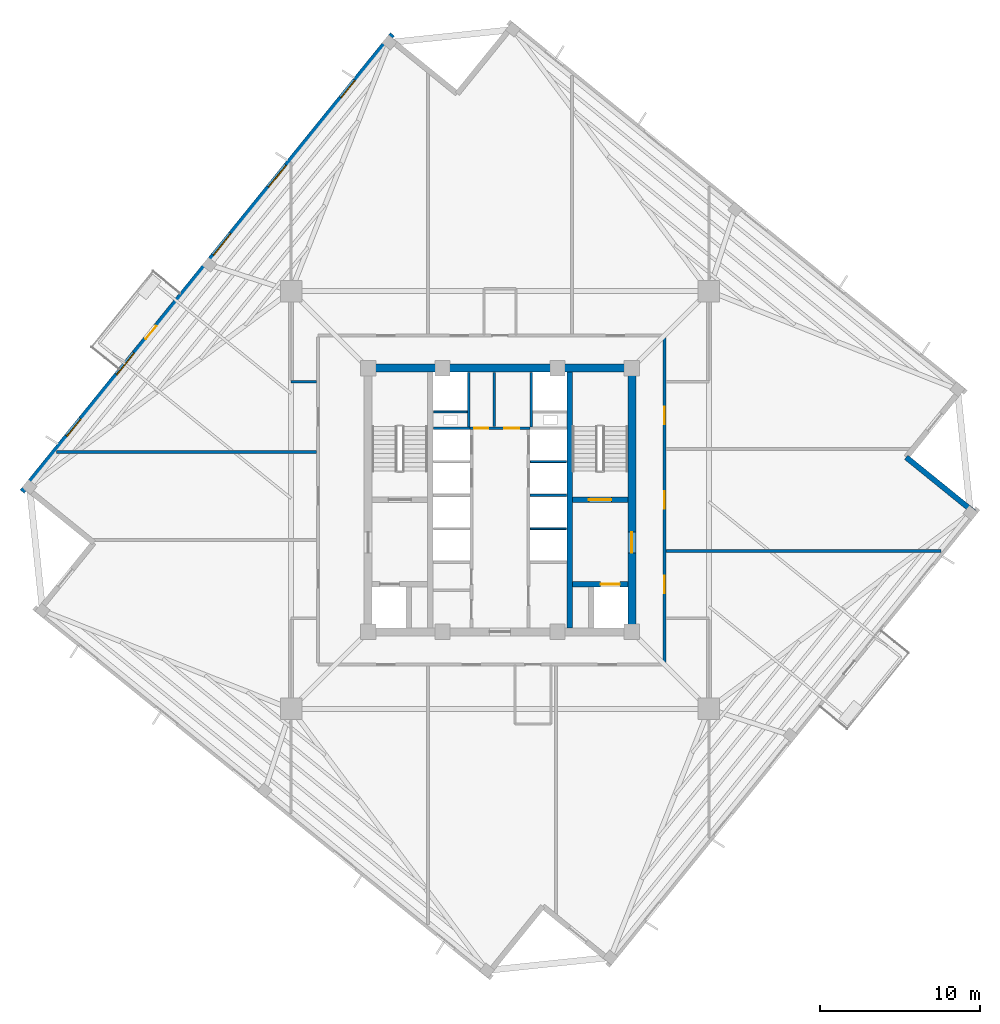
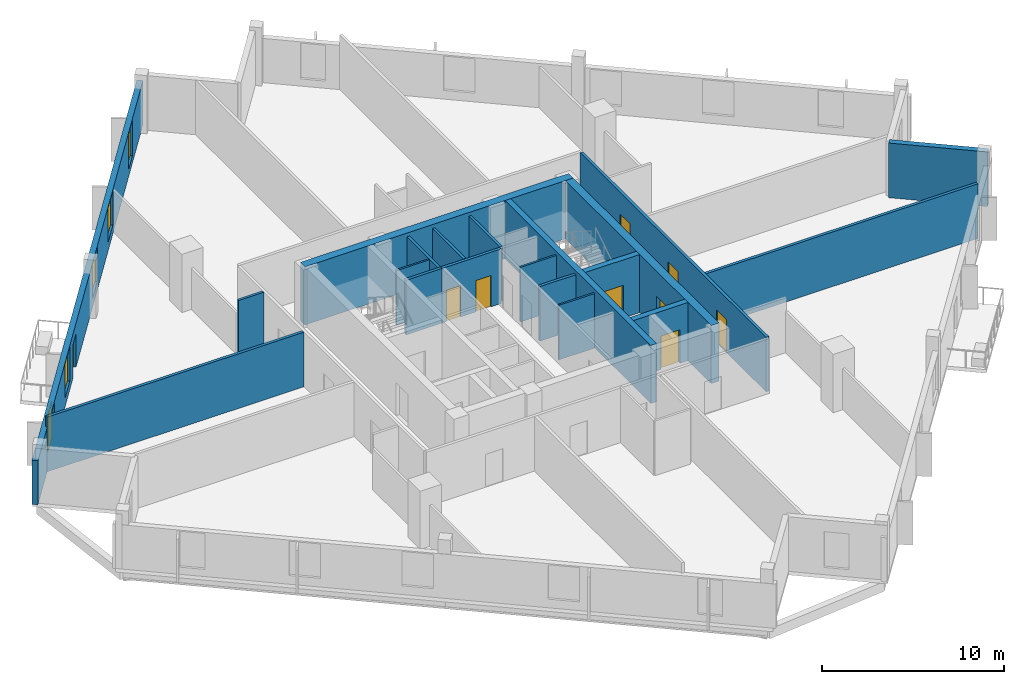
# One storey, part 4 of 9: 20 walls, 9 doors, 5 windows, 14 openings.
"""IFC4 building model written with IfcOpenShell, lengths in metres."""

from ifc_helpers import new_model, si_unit, direction, frame, frame_2d, origin, place, context, subcontext, project, spatial, rectangle, extrude, source, transform, mapped, material, layer, layer_set, type_object, element, fill, save


model = new_model("IFC4")

# Units and contexts
model_context = context("Model", 3, precision=1e-05, world=origin(), true_north=direction((0.0, 1.0)))
body_context = subcontext(model_context, "Body", "Model", "MODEL_VIEW")
ifc_project = project(units=[si_unit("LENGTHUNIT", "METRE"), si_unit("AREAUNIT", "SQUARE_METRE"), si_unit("VOLUMEUNIT", "CUBIC_METRE"), si_unit("PLANEANGLEUNIT", "RADIAN"), si_unit("MASSUNIT", "GRAM", prefix="KILO"), si_unit("THERMODYNAMICTEMPERATUREUNIT", "KELVIN")], contexts=[model_context])

# Site, building, storey
site_placement = place(None, origin())
site = spatial("IfcSite", under=ifc_project, at=site_placement, CompositionType="ELEMENT")
building_placement = place(site_placement, origin())
building = spatial("IfcBuilding", under=site, at=building_placement, Name="Kosmvard Interchange Tower", CompositionType="ELEMENT")
storey_placement = place(building_placement, frame((0.0, 0.0, 232.89990234375)))
storey = spatial("IfcBuildingStorey", under=building, at=storey_placement, Name="L56", CompositionType="ELEMENT", Elevation=232.89990234375)

# Walls
ifc_material_1 = material(Name="Acoustic gypsum partition system")
ifc_layer_1 = layer(ifc_material_1, 0.14990234375, Name="Acoustic gypsum partition system")
ifc_layer_set_1 = layer_set([ifc_layer_1], Name="Acoustic gypsum partition system")
wall_type_1 = type_object("IfcWallType", Name="Acoustic Suite & Meeting Partition 150", PredefinedType="PARTITIONING", material=ifc_layer_set_1)
wall_1_placement = place(storey_placement, frame((-11.4951171875, 7.39990234375, 0.0), z_axis=(0.0, 0.0, 1.0), x_axis=(-1.0, 0.0, 0.0)))
element("IfcWall", 1, at=wall_1_placement, inside=storey, type_object=wall_type_1, Name="L56 Room Partition 09.1", PredefinedType="PARTITIONING", context=body_context, shape_type="SweptSolid", body=[
    extrude(rectangle(XDim=1.5859375, YDim=0.14990234375, at=frame_2d((0.79296875, 0.0))), origin(), (0.0, 0.0, 1.0), 3.66015625),
])
ifc_material_2 = material(Name="Fire-rated gypsum partition system")
ifc_layer_2 = layer(ifc_material_2, 0.159912109375, Name="Fire-rated gypsum partition system")
ifc_layer_set_2 = layer_set([ifc_layer_2], Name="Fire-rated gypsum partition system")
wall_type_2 = type_object("IfcWallType", Name="Core Compartment & Shuttle Lobby Partition 160", PredefinedType="PARTITIONING", material=ifc_layer_set_2)
for number, where, z_axis, x_axis, name in (
    (2, (-1.9599609375, 4.580078125, 0.0), (0.0, 0.0, 1.0), (0.0, 1.0, 0.0), "L56 North Core West Wall"),
    (3, (1.9599609375, 4.580078125, 0.0), (0.0, 0.0, 1.0), (0.0, 1.0, 0.0), "L56 North Core East Wall"),
):
    element("IfcWall", number, at=place(storey_placement, frame(where, z_axis=z_axis, x_axis=x_axis)), inside=storey, type_object=wall_type_2, Name=name, PredefinedType="PARTITIONING", context=body_context, shape_type="SweptSolid", body=[
        extrude(rectangle(XDim=3.39990234375, YDim=0.159912109375, at=frame_2d((1.699951171875, 0.0))), origin(), (0.0, 0.0, 1.0), 3.66015625),
    ])
ifc_material_3 = material(Name="Concrete blockwork masonry", Category="masonry")
ifc_layer_3 = layer(ifc_material_3, 0.159912109375, Name="Concrete blockwork masonry")
ifc_layer_set_3 = layer_set([ifc_layer_3], Name="Concrete blockwork masonry")
wall_type_3 = type_object("IfcWallType", Name="Core Enclosure Split Wall 160", PredefinedType="PARTITIONING", material=ifc_layer_set_3)
wall_2_placement = place(storey_placement, frame((-0.35009765625, 4.60009765625, 0.0), z_axis=(0.0, 0.0, 1.0), x_axis=(0.0, 1.0, 0.0)))
element("IfcWall", 4, at=wall_2_placement, inside=storey, type_object=wall_type_3, Name="L56 Core K2 Split Wall", PredefinedType="PARTITIONING", context=body_context, shape_type="SweptSolid", body=[
    extrude(rectangle(XDim=3.3798828125, YDim=0.159912109375, at=frame_2d((1.68994140625, 0.0))), origin(), (0.0, 0.0, 1.0), 3.66015625),
])

# Wall, openings, doors
ifc_layer_4 = layer(ifc_material_2, 0.179931640625, Name="Fire-rated gypsum partition system")
ifc_layer_set_4 = layer_set([ifc_layer_4], Name="Fire-rated gypsum partition system")
wall_type_4 = type_object("IfcWallType", Name="Corridor & Hotel Compartment Partition 180", PredefinedType="PARTITIONING", material=ifc_layer_set_4)
wall_3_placement = place(storey_placement, frame((-1.8798828125, 4.489990234375, 0.0), z_axis=(0.0, 0.0, 1.0), x_axis=(1.0, 0.0, 0.0)))
wall_3 = element("IfcWall", 5, at=wall_3_placement, inside=storey, type_object=wall_type_4, Name="L56 Lift Lobby North Partition", PredefinedType="PARTITIONING", context=body_context, shape_type="SweptSolid", body=[
    extrude(rectangle(XDim=3.759765625, YDim=0.179931640625, at=frame_2d((1.8798828125, 0.0))), origin(), (0.0, 0.0, 1.0), 3.66015625),
])
opening_1_placement = place(wall_3_placement, frame((0.280029296875, 0.0, 0.0)))
opening_1 = element("IfcOpeningElement", 6, at=opening_1_placement, cuts=wall_3, Name="Opening L56-KD1", PredefinedType="OPENING", context=body_context, shape_type="SweptSolid", body=[
    extrude(rectangle(XDim=0.8798828125, YDim=2.10009765625, at=frame_2d((0.43994140625, 1.050048828125))), frame((0.0, 0.10009765625, 0.0), z_axis=(0.0, -1.0, 0.0), x_axis=(1.0, 0.0, 0.0)), (0.0, 0.0, 1.0), 0.199951171875),
])
opening_2_placement = place(wall_3_placement, frame((2.14990234375, 0.0, 0.0)))
opening_2 = element("IfcOpeningElement", 7, at=opening_2_placement, cuts=wall_3, Name="Opening L56-KD2", PredefinedType="OPENING", context=body_context, shape_type="SweptSolid", body=[
    extrude(rectangle(XDim=0.949951171875, YDim=2.10009765625, at=frame_2d((0.47509765625, 1.050048828125))), frame((0.0, 0.10009765625, 0.0), z_axis=(0.0, -1.0, 0.0), x_axis=(1.0, 0.0, 0.0)), (0.0, 0.0, 1.0), 0.199951171875),
])
ifc_material_4 = material(Name="Painted fire-rated timber leaf", Category="wood")
door_type_1 = type_object("IfcDoorType", Name="Core Service Fire Door 950x2100 EI30", OperationType="NOTDEFINED", PredefinedType="DOOR", material=ifc_material_4)
shared_shape_1 = source(origin(), body_context, "Body", "SweptSolid", [
    extrude(rectangle(XDim=0.949951171875, YDim=2.10009765625, at=frame_2d((0.47509765625, 1.050048828125))), frame((0.0, 0.02490234375, 0.0), z_axis=(0.0, -1.0, 0.0), x_axis=(1.0, 0.0, 0.0)), (0.0, 0.0, 1.0), 0.050048828125),
])
door_1_placement = place(opening_2_placement, origin())
door_1 = element("IfcDoor", 8, at=door_1_placement, inside=storey, type_object=door_type_1, Name="L56 Core Tea Pantry Door", OperationType="SINGLE_SWING_RIGHT", OverallHeight=2.10009765625, OverallWidth=0.949951171875, PredefinedType="DOOR", context=body_context, shape_type="MappedRepresentation", body=[
    mapped(shared_shape_1, transform((0.0, 0.0, 0.0), scale=1.0)),
])
fill(opening_2, door_1)
door_type_2 = type_object("IfcDoorType", Name="Core Cupboard Fire Door 880x2100 EI30", OperationType="NOTDEFINED", PredefinedType="DOOR", material=ifc_material_4)
shared_shape_2 = source(origin(), body_context, "Body", "SweptSolid", [
    extrude(rectangle(XDim=0.8798828125, YDim=2.10009765625, at=frame_2d((0.43994140625, 1.050048828125))), frame((0.0, 0.02490234375, 0.0), z_axis=(0.0, -1.0, 0.0), x_axis=(1.0, 0.0, 0.0)), (0.0, 0.0, 1.0), 0.050048828125),
])
door_2_placement = place(opening_1_placement, origin())
door_2 = element("IfcDoor", 9, at=door_2_placement, inside=storey, type_object=door_type_2, Name="L56 Core Cleaner Cupboard Door", OperationType="SINGLE_SWING_LEFT", OverallHeight=2.10009765625, OverallWidth=0.8798828125, PredefinedType="DOOR", context=body_context, shape_type="MappedRepresentation", body=[
    mapped(shared_shape_2, transform((0.0, 0.0, 0.0), scale=1.0)),
])
fill(opening_1, door_2)

wall_4_placement = place(storey_placement, frame((10.300048828125, -10.199951171875, 0.0), z_axis=(0.0, 0.0, 1.0), x_axis=(0.0, 1.0, 0.0)))
wall_4 = element("IfcWall", 10, at=wall_4_placement, inside=storey, type_object=wall_type_4, Name="L56 Corridor Wall CE", PredefinedType="PARTITIONING", context=body_context, shape_type="SweptSolid", body=[
    extrude(rectangle(XDim=20.39990234375, YDim=0.179931640625, at=frame_2d((10.199951171875, 0.0))), origin(), (0.0, 0.0, 1.0), 3.66015625),
])
opening_3_placement = place(wall_4_placement, frame((14.949951171875, 0.0, 0.0)))
opening_3 = element("IfcOpeningElement", 11, at=opening_3_placement, cuts=wall_4, Name="Opening L56-D07", PredefinedType="OPENING", context=body_context, shape_type="SweptSolid", body=[
    extrude(rectangle(XDim=1.10009765625, YDim=2.199951171875, at=frame_2d((0.550048828125, 1.10009765625))), frame((0.0, 0.10009765625, 0.0), z_axis=(0.0, -1.0, 0.0), x_axis=(1.0, 0.0, 0.0)), (0.0, 0.0, 1.0), 0.199951171875),
])
opening_4_placement = place(wall_4_placement, frame((9.64990234375, 0.0, 0.0)))
opening_4 = element("IfcOpeningElement", 12, at=opening_4_placement, cuts=wall_4, Name="Opening L56-D08", PredefinedType="OPENING", context=body_context, shape_type="SweptSolid", body=[
    extrude(rectangle(XDim=1.10009765625, YDim=2.199951171875, at=frame_2d((0.550048828125, 1.10009765625))), frame((0.0, 0.10009765625, 0.0), z_axis=(0.0, -1.0, 0.0), x_axis=(1.0, 0.0, 0.0)), (0.0, 0.0, 1.0), 0.199951171875),
])
opening_5_placement = place(wall_4_placement, frame((4.35009765625, 0.0, 0.0)))
opening_5 = element("IfcOpeningElement", 13, at=opening_5_placement, cuts=wall_4, Name="Opening L56-D09", PredefinedType="OPENING", context=body_context, shape_type="SweptSolid", body=[
    extrude(rectangle(XDim=1.10009765625, YDim=2.199951171875, at=frame_2d((0.550048828125, 1.10009765625))), frame((0.0, 0.10009765625, 0.0), z_axis=(0.0, -1.0, 0.0), x_axis=(1.0, 0.0, 0.0)), (0.0, 0.0, 1.0), 0.199951171875),
])
ifc_material_5 = material(Name="Engineered oak fire-rated timber", Category="wood")
door_type_3 = type_object("IfcDoorType", Name="Office Suite Entrance Door 1100x2200 FD30S", OperationType="NOTDEFINED", PredefinedType="DOOR", material=ifc_material_5)
shared_shape_3 = source(origin(), body_context, "Body", "SweptSolid", [
    extrude(rectangle(XDim=1.10009765625, YDim=2.199951171875, at=frame_2d((0.550048828125, 1.10009765625))), frame((0.0, 0.02490234375, 0.0), z_axis=(0.0, -1.0, 0.0), x_axis=(1.0, 0.0, 0.0)), (0.0, 0.0, 1.0), 0.050048828125),
])
door_3_placement = place(opening_3_placement, frame((1.10009765625, 0.0, 0.0), z_axis=(0.0, 0.0, 1.0), x_axis=(-1.0, 0.0, 0.0)))
door_3 = element("IfcDoor", 14, at=door_3_placement, inside=storey, type_object=door_type_3, Name="L56 East Executive Office 4 Door", OperationType="SINGLE_SWING_LEFT", OverallHeight=2.199951171875, OverallWidth=1.10009765625, PredefinedType="DOOR", context=body_context, shape_type="MappedRepresentation", body=[
    mapped(shared_shape_3, transform((0.0, 0.0, 0.0), scale=1.0)),
])
fill(opening_3, door_3)
door_4_placement = place(opening_4_placement, frame((1.10009765625, 0.0, 0.0), z_axis=(0.0, 0.0, 1.0), x_axis=(-1.0, 0.0, 0.0)))
door_4 = element("IfcDoor", 15, at=door_4_placement, inside=storey, type_object=door_type_3, Name="L56 South-East Corner Office Door", OperationType="SINGLE_SWING_RIGHT", OverallHeight=2.199951171875, OverallWidth=1.10009765625, PredefinedType="DOOR", context=body_context, shape_type="MappedRepresentation", body=[
    mapped(shared_shape_3, transform((0.0, 0.0, 0.0), scale=1.0)),
])
fill(opening_4, door_4)
door_5_placement = place(opening_5_placement, frame((1.10009765625, 0.0, 0.0), z_axis=(0.0, 0.0, 1.0), x_axis=(-1.0, 0.0, 0.0)))
door_5 = element("IfcDoor", 16, at=door_5_placement, inside=storey, type_object=door_type_3, Name="L56 South Conference Room 2 Door", OperationType="SINGLE_SWING_LEFT", OverallHeight=2.199951171875, OverallWidth=1.10009765625, PredefinedType="DOOR", context=body_context, shape_type="MappedRepresentation", body=[
    mapped(shared_shape_3, transform((0.0, 0.0, 0.0), scale=1.0)),
])
fill(opening_5, door_5)

# Walls
wall_5_placement = place(storey_placement, frame((10.39501953125, -3.199951171875, 0.0), z_axis=(0.0, 0.0, 1.0), x_axis=(1.0, 0.0, 0.0)))
element("IfcWall", 17, at=wall_5_placement, inside=storey, type_object=wall_type_4, Name="L56 Room Partition 04.1", PredefinedType="PARTITIONING", context=body_context, shape_type="SweptSolid", body=[
    extrude(rectangle(XDim=17.220458984375, YDim=0.179931640625, at=frame_2d((8.6103515625, 0.0))), origin(), (0.0, 0.0, 1.0), 3.66015625),
])
wall_6_placement = place(storey_placement, frame((-11.4951171875, 3.0, 0.0), z_axis=(0.0, 0.0, 1.0), x_axis=(-1.0, 0.0, 0.0)))
element("IfcWall", 18, at=wall_6_placement, inside=storey, type_object=wall_type_4, Name="L56 Room Partition 08.1", PredefinedType="PARTITIONING", context=body_context, shape_type="SweptSolid", body=[
    extrude(rectangle(XDim=16.2822265625, YDim=0.179931640625, at=frame_2d((8.14111328125, 0.0))), origin(), (0.0, 0.0, 1.0), 3.66015625),
])
ifc_material_6 = material(Name="Precast concrete C45/55", Category="concrete")
ifc_layer_5 = layer(ifc_material_6, 0.340087890625, Name="Precast concrete C45/55")
ifc_layer_set_5 = layer_set([ifc_layer_5], Name="Precast concrete C45/55")
wall_type_5 = type_object("IfcWallType", Name="Mid Tower Precast Pier Wall 340 C45/55", PredefinedType="STANDARD", material=ifc_layer_set_5)
wall_7_placement = place(storey_placement, frame((29.703125, -0.78857421875, 0.0), z_axis=(0.0, 0.0, 1.0), x_axis=(-0.77714355312, 0.629323365087, 0.0)))
element("IfcWall", 19, at=wall_7_placement, inside=storey, type_object=wall_type_5, Name="L56 Precast Facade Wall N-SE1", PredefinedType="STANDARD", context=body_context, shape_type="SweptSolid", body=[
    extrude(rectangle(XDim=5.499755859375, YDim=0.340087890625, at=frame_2d((2.75, 0.0))), origin(), (0.0, 0.0, 1.0), 3.66015625),
])

# Wall, openings, door, windows
wall_8_placement = place(storey_placement, frame((-6.73291015625, 29.154296875, 0.0), z_axis=(0.0, 0.0, 1.0), x_axis=(-0.629325378072, -0.77714192302, 0.0)))
wall_8 = element("IfcWall", 20, at=wall_8_placement, inside=storey, type_object=wall_type_5, Name="L56 Precast Facade Wall F-N", PredefinedType="STANDARD", context=body_context, shape_type="SweptSolid", body=[
    extrude(rectangle(XDim=36.840087890625, YDim=0.340087890625, at=frame_2d((18.419921875, 0.0))), origin(), (0.0, 0.0, 1.0), 2.960205078125),
])
opening_6_placement = place(wall_8_placement, frame((23.4951171875, 0.0, 0.0)))
opening_6 = element("IfcOpeningElement", 21, at=opening_6_placement, cuts=wall_8, Name="Opening L56-BDE", PredefinedType="OPENING", context=body_context, shape_type="SweptSolid", body=[
    extrude(rectangle(XDim=1.050048828125, YDim=2.25, at=frame_2d((0.52490234375, 1.125))), frame((0.0, 0.18017578125, 0.0), z_axis=(0.0, -1.0, 0.0), x_axis=(1.0, 0.0, 0.0)), (0.0, 0.0, 1.0), 0.360107421875),
])
opening_7_placement = place(wall_8_placement, frame((3.720703125, 0.0, 0.47998046875)))
opening_7 = element("IfcOpeningElement", 22, at=opening_7_placement, cuts=wall_8, Name="Opening L56-W11", PredefinedType="OPENING", context=body_context, shape_type="SweptSolid", body=[
    extrude(rectangle(XDim=1.39990234375, YDim=2.39990234375, at=frame_2d((0.699951171875, 1.199951171875))), frame((0.0, 0.18017578125, 0.0), z_axis=(0.0, -1.0, 0.0), x_axis=(1.0, 0.0, 0.0)), (0.0, 0.0, 1.0), 0.360107421875),
])
opening_8_placement = place(wall_8_placement, frame((10.55859375, 0.0, 0.580078125)))
opening_8 = element("IfcOpeningElement", 23, at=opening_8_placement, cuts=wall_8, Name="Opening L56-W12", PredefinedType="OPENING", context=body_context, shape_type="SweptSolid", body=[
    extrude(rectangle(XDim=1.75, YDim=2.300048828125, at=frame_2d((0.875, 1.14990234375))), frame((0.0, 0.18017578125, 0.0), z_axis=(0.0, -1.0, 0.0), x_axis=(1.0, 0.0, 0.0)), (0.0, 0.0, 1.0), 0.360107421875),
])
opening_9_placement = place(wall_8_placement, frame((16.05810546875, 0.0, 0.580078125)))
opening_9 = element("IfcOpeningElement", 24, at=opening_9_placement, cuts=wall_8, Name="Opening L56-W13", PredefinedType="OPENING", context=body_context, shape_type="SweptSolid", body=[
    extrude(rectangle(XDim=1.75, YDim=2.300048828125, at=frame_2d((0.875, 1.14990234375))), frame((0.0, 0.18017578125, 0.0), z_axis=(0.0, -1.0, 0.0), x_axis=(1.0, 0.0, 0.0)), (0.0, 0.0, 1.0), 0.360107421875),
])
opening_10_placement = place(wall_8_placement, frame((25.67626953125, 0.0, 0.580078125)))
opening_10 = element("IfcOpeningElement", 25, at=opening_10_placement, cuts=wall_8, Name="Opening L56-W14", PredefinedType="OPENING", context=body_context, shape_type="SweptSolid", body=[
    extrude(rectangle(XDim=1.75, YDim=2.300048828125, at=frame_2d((0.875, 1.14990234375))), frame((0.0, 0.18017578125, 0.0), z_axis=(0.0, -1.0, 0.0), x_axis=(1.0, 0.0, 0.0)), (0.0, 0.0, 1.0), 0.360107421875),
])
opening_11_placement = place(wall_8_placement, frame((30.982421875, 0.0, 0.47998046875)))
opening_11 = element("IfcOpeningElement", 26, at=opening_11_placement, cuts=wall_8, Name="Opening L56-W15", PredefinedType="OPENING", context=body_context, shape_type="SweptSolid", body=[
    extrude(rectangle(XDim=1.39990234375, YDim=2.39990234375, at=frame_2d((0.699951171875, 1.199951171875))), frame((0.0, 0.18017578125, 0.0), z_axis=(0.0, -1.0, 0.0), x_axis=(1.0, 0.0, 0.0)), (0.0, 0.0, 1.0), 0.360107421875),
])
ifc_material_7 = material(Name="Anodised aluminium and safety glass", Category="aluminium")
door_type_4 = type_object("IfcDoorType", Name="Tree-Balcony Glazed Door 1050x2250", OperationType="NOTDEFINED", PredefinedType="DOOR", material=ifc_material_7)
shared_shape_4 = source(origin(), body_context, "Body", "SweptSolid", [
    extrude(rectangle(XDim=1.050048828125, YDim=2.25, at=frame_2d((0.52490234375, 1.125))), frame((0.0, 0.02490234375, 0.0), z_axis=(0.0, -1.0, 0.0), x_axis=(1.0, 0.0, 0.0)), (0.0, 0.0, 1.0), 0.050048828125),
])
door_6_placement = place(opening_6_placement, origin())
door_6 = element("IfcDoor", 27, at=door_6_placement, inside=storey, type_object=door_type_4, Name="L56 Tree-Balcony Door BAL-L56-NE", OperationType="SINGLE_SWING_LEFT", OverallHeight=2.25, OverallWidth=1.050048828125, PredefinedType="DOOR", context=body_context, shape_type="MappedRepresentation", body=[
    mapped(shared_shape_4, transform((0.0, 0.0, 0.0), scale=1.0)),
])
fill(opening_6, door_6)
ifc_material_8 = material(Name="Low-E solar-control double glazing", Category="glass")
window_type_1 = type_object("IfcWindowType", Name="Notched Corner Feature Window 1400x2400", PartitioningType="SINGLE_PANEL", PredefinedType="WINDOW", material=ifc_material_8)
shared_shape_5 = source(origin(), body_context, "Body", "SweptSolid", [
    extrude(rectangle(XDim=1.39990234375, YDim=2.39990234375, at=frame_2d((0.699951171875, 1.199951171875))), frame((0.0, 0.030029296875, 0.0), z_axis=(0.0, -1.0, 0.0), x_axis=(1.0, 0.0, 0.0)), (0.0, 0.0, 1.0), 0.06005859375),
])
window_1_placement = place(opening_7_placement, origin())
window_1 = element("IfcWindow", 28, at=window_1_placement, inside=storey, type_object=window_type_1, Name="L56 Facade Punched Window 11", OverallHeight=2.39990234375, OverallWidth=1.39990234375, PartitioningType="SINGLE_PANEL", PredefinedType="WINDOW", context=body_context, shape_type="MappedRepresentation", body=[
    mapped(shared_shape_5, transform((0.0, 0.0, 0.0), scale=1.0)),
])
fill(opening_7, window_1)
window_2_placement = place(opening_11_placement, origin())
window_2 = element("IfcWindow", 29, at=window_2_placement, inside=storey, type_object=window_type_1, Name="L56 Facade Punched Window 15", OverallHeight=2.39990234375, OverallWidth=1.39990234375, PartitioningType="SINGLE_PANEL", PredefinedType="WINDOW", context=body_context, shape_type="MappedRepresentation", body=[
    mapped(shared_shape_5, transform((0.0, 0.0, 0.0), scale=1.0)),
])
fill(opening_11, window_2)
window_type_2 = type_object("IfcWindowType", Name="Zone 4 Suite Punched Window 1750x2300", PartitioningType="SINGLE_PANEL", PredefinedType="WINDOW", material=ifc_material_8)
shared_shape_6 = source(origin(), body_context, "Body", "SweptSolid", [
    extrude(rectangle(XDim=1.75, YDim=2.300048828125, at=frame_2d((0.875, 1.14990234375))), frame((0.0, 0.030029296875, 0.0), z_axis=(0.0, -1.0, 0.0), x_axis=(1.0, 0.0, 0.0)), (0.0, 0.0, 1.0), 0.06005859375),
])
window_3_placement = place(opening_8_placement, origin())
window_3 = element("IfcWindow", 30, at=window_3_placement, inside=storey, type_object=window_type_2, Name="L56 Facade Punched Window 12", OverallHeight=2.300048828125, OverallWidth=1.75, PartitioningType="SINGLE_PANEL", PredefinedType="WINDOW", context=body_context, shape_type="MappedRepresentation", body=[
    mapped(shared_shape_6, transform((0.0, 0.0, 0.0), scale=1.0)),
])
fill(opening_8, window_3)
window_4_placement = place(opening_9_placement, origin())
window_4 = element("IfcWindow", 31, at=window_4_placement, inside=storey, type_object=window_type_2, Name="L56 Facade Punched Window 13", OverallHeight=2.300048828125, OverallWidth=1.75, PartitioningType="SINGLE_PANEL", PredefinedType="WINDOW", context=body_context, shape_type="MappedRepresentation", body=[
    mapped(shared_shape_6, transform((0.0, 0.0, 0.0), scale=1.0)),
])
fill(opening_9, window_4)
window_5_placement = place(opening_10_placement, origin())
window_5 = element("IfcWindow", 32, at=window_5_placement, inside=storey, type_object=window_type_2, Name="L56 Facade Punched Window 14", OverallHeight=2.300048828125, OverallWidth=1.75, PartitioningType="SINGLE_PANEL", PredefinedType="WINDOW", context=body_context, shape_type="MappedRepresentation", body=[
    mapped(shared_shape_6, transform((0.0, 0.0, 0.0), scale=1.0)),
])
fill(opening_10, window_5)

# Walls
ifc_layer_6 = layer(ifc_material_3, 0.179931640625, Name="Concrete blockwork masonry")
ifc_layer_set_6 = layer_set([ifc_layer_6], Name="Concrete blockwork masonry")
wall_type_6 = type_object("IfcWallType", Name="Riser & Lift Bank Divider Wall 180", PredefinedType="PARTITIONING", material=ifc_layer_set_6)
for number, where, z_axis, x_axis, name in (
    (33, (1.889892578125, 0.300048828125, 0.0), (0.0, 0.0, 1.0), (1.0, 0.0, 0.0), "L56 East Bank Divider BD2"),
    (34, (-4.169921875, 4.489990234375, 0.0), (0.0, 0.0, 1.0), (1.0, 0.0, 0.0), "L56 West Bank Divider BD3"),
):
    element("IfcWall", number, at=place(storey_placement, frame(where, z_axis=z_axis, x_axis=x_axis)), inside=storey, type_object=wall_type_6, Name=name, PredefinedType="PARTITIONING", context=body_context, shape_type="SweptSolid", body=[
        extrude(rectangle(XDim=2.280029296875, YDim=0.179931640625, at=frame_2d((1.14013671875, 0.0))), origin(), (0.0, 0.0, 1.0), 3.66015625),
    ])
ifc_material_9 = material(Name="Fire-rated gypsum shaftwall system")
ifc_layer_7 = layer(ifc_material_9, 0.1201171875, Name="Fire-rated gypsum shaftwall system")
ifc_layer_set_7 = layer_set([ifc_layer_7], Name="Fire-rated gypsum shaftwall system")
wall_type_7 = type_object("IfcWallType", Name="Shaft & Riser Fire Partition 120 EI60", PredefinedType="PARTITIONING", material=ifc_layer_set_7)
for number, where, z_axis, x_axis, name in (
    (35, (1.89990234375, -1.800048828125, 0.0), (0.0, 0.0, 1.0), (1.0, 0.0, 0.0), "L56 Shaft Divider PL-M3"),
    (36, (1.89990234375, 2.39990234375, 0.0), (0.0, 0.0, 1.0), (1.0, 0.0, 0.0), "L56 Shaft Divider PL-H3"),
):
    element("IfcWall", number, at=place(storey_placement, frame(where, z_axis=z_axis, x_axis=x_axis)), inside=storey, type_object=wall_type_7, Name=name, PredefinedType="PARTITIONING", context=body_context, shape_type="SweptSolid", body=[
        extrude(rectangle(XDim=2.260009765625, YDim=0.1201171875, at=frame_2d((1.1298828125, 0.0))), origin(), (0.0, 0.0, 1.0), 3.66015625),
    ])
wall_9_placement = place(storey_placement, frame((-4.159912109375, 5.52001953125, 0.0), z_axis=(0.0, 0.0, 1.0), x_axis=(1.0, 0.0, 0.0)))
element("IfcWall", 37, at=wall_9_placement, inside=storey, type_object=wall_type_7, Name="L56 Riser Shaft Divider W", PredefinedType="PARTITIONING", context=body_context, shape_type="SweptSolid", body=[
    extrude(rectangle(XDim=2.099853515625, YDim=0.1201171875, at=frame_2d((1.0498046875, 0.0))), origin(), (0.0, 0.0, 1.0), 3.66015625),
])
ifc_material_10 = material(Name="Concrete C60/75", Category="concrete")
ifc_layer_8 = layer(ifc_material_10, 0.360107421875, Name="Concrete C60/75")
ifc_layer_set_8 = layer_set([ifc_layer_8], Name="Concrete C60/75")
wall_type_8 = type_object("IfcWallType", Name="Stair & Lift Shaft Shear Wall 360 C60/75", PredefinedType="SHEAR", material=ifc_layer_set_8)
wall_10_placement = place(storey_placement, frame((4.360107421875, -8.0, 0.0), z_axis=(0.0, 0.0, 1.0), x_axis=(0.0, 1.0, 0.0)))
element("IfcWall", 38, at=wall_10_placement, inside=storey, type_object=wall_type_8, Name="L56 Shaft Shear Wall SW-E", PredefinedType="SHEAR", context=body_context, shape_type="SweptSolid", body=[
    extrude(rectangle(XDim=16.0, YDim=0.360107421875, at=frame_2d((8.0, 0.0))), origin(), (0.0, 0.0, 1.0), 3.900146484375),
])

# Wall, opening, door
wall_11_placement = place(storey_placement, frame((4.5400390625, 0.02001953125, 0.0), z_axis=(0.0, 0.0, 1.0), x_axis=(1.0, 0.0, 0.0)))
wall_11 = element("IfcWall", 39, at=wall_11_placement, inside=storey, type_object=wall_type_8, Name="L56 Shaft Shear Wall SW-ST2", PredefinedType="SHEAR", context=body_context, shape_type="SweptSolid", body=[
    extrude(rectangle(XDim=3.4599609375, YDim=0.360107421875, at=frame_2d((1.72998046875, 0.0))), origin(), (0.0, 0.0, 1.0), 3.900146484375),
])
opening_12_placement = place(wall_11_placement, frame((1.030029296875, 0.0, 0.0)))
opening_12 = element("IfcOpeningElement", 40, at=opening_12_placement, cuts=wall_11, Name="Opening L56-SD2", PredefinedType="OPENING", context=body_context, shape_type="SweptSolid", body=[
    extrude(rectangle(XDim=1.39990234375, YDim=2.199951171875, at=frame_2d((0.699951171875, 1.10009765625))), frame((0.0, 0.18994140625, 0.0), z_axis=(0.0, -1.0, 0.0), x_axis=(1.0, 0.0, 0.0)), (0.0, 0.0, 1.0), 0.380126953125),
])
ifc_material_11 = material(Name="Painted fire-rated steel leaf", Category="steel")
door_type_5 = type_object("IfcDoorType", Name="Protected Stair Door 1400x2200 FD60S", OperationType="NOTDEFINED", PredefinedType="DOOR", material=ifc_material_11)
shared_shape_7 = source(origin(), body_context, "Body", "SweptSolid", [
    extrude(rectangle(XDim=1.39990234375, YDim=2.199951171875, at=frame_2d((0.699951171875, 1.10009765625))), frame((0.0, 0.02490234375, 0.0), z_axis=(0.0, -1.0, 0.0), x_axis=(1.0, 0.0, 0.0)), (0.0, 0.0, 1.0), 0.050048828125),
])
door_7_placement = place(opening_12_placement, origin())
door_7 = element("IfcDoor", 41, at=door_7_placement, inside=storey, type_object=door_type_5, Name="L56 Stair ST-2 Enclosure Door", OperationType="SINGLE_SWING_RIGHT", OverallHeight=2.199951171875, OverallWidth=1.39990234375, PredefinedType="DOOR", context=body_context, shape_type="MappedRepresentation", body=[
    mapped(shared_shape_7, transform((0.0, 0.0, 0.0), scale=1.0)),
])
fill(opening_12, door_7)

wall_12_placement = place(storey_placement, frame((4.5400390625, -5.280029296875, 0.0), z_axis=(0.0, 0.0, 1.0), x_axis=(1.0, 0.0, 0.0)))
wall_12 = element("IfcWall", 42, at=wall_12_placement, inside=storey, type_object=wall_type_8, Name="L56 Shaft Shear Wall SW-FF2", PredefinedType="SHEAR", context=body_context, shape_type="SweptSolid", body=[
    extrude(rectangle(XDim=3.4599609375, YDim=0.360107421875, at=frame_2d((1.72998046875, 0.0))), origin(), (0.0, 0.0, 1.0), 3.900146484375),
])
opening_13_placement = place(wall_12_placement, frame((1.760009765625, 0.0, 0.0)))
opening_13 = element("IfcOpeningElement", 43, at=opening_13_placement, cuts=wall_12, Name="Opening LD-FF-2-L56", PredefinedType="OPENING", context=body_context, shape_type="SweptSolid", body=[
    extrude(rectangle(XDim=1.199951171875, YDim=2.25, at=frame_2d((0.60009765625, 1.125))), frame((0.0, 0.18994140625, 0.0), z_axis=(0.0, -1.0, 0.0), x_axis=(1.0, 0.0, 0.0)), (0.0, 0.0, 1.0), 0.380126953125),
])
ifc_material_12 = material(Name="Brushed stainless steel sliding leaf", Category="steel")
door_type_6 = type_object("IfcDoorType", Name="Firefighting Lift Sliding Landing Door 1200x2250 EI120", OperationType="DOUBLE_DOOR_SLIDING", PredefinedType="DOOR", material=ifc_material_12)
shared_shape_8 = source(origin(), body_context, "Body", "SweptSolid", [
    extrude(rectangle(XDim=1.199951171875, YDim=2.25, at=frame_2d((0.60009765625, 1.125))), frame((0.0, 0.02490234375, 0.0), z_axis=(0.0, -1.0, 0.0), x_axis=(1.0, 0.0, 0.0)), (0.0, 0.0, 1.0), 0.050048828125),
])
door_8_placement = place(opening_13_placement, origin())
door_8 = element("IfcDoor", 44, at=door_8_placement, inside=storey, type_object=door_type_6, Name="Lift FF-2 Landing Door L56", OperationType="DOUBLE_DOOR_SLIDING", OverallHeight=2.25, OverallWidth=1.199951171875, PredefinedType="DOOR", context=body_context, shape_type="MappedRepresentation", body=[
    mapped(shared_shape_8, transform((0.0, 0.0, 0.0), scale=1.0)),
])
fill(opening_13, door_8)

# Wall
ifc_layer_9 = layer(ifc_material_10, 0.5, Name="Concrete C60/75")
ifc_layer_set_9 = layer_set([ifc_layer_9], Name="Concrete C60/75")
wall_type_9 = type_object("IfcWallType", Name="Upper Core Shear Wall 500 C60/75", PredefinedType="SHEAR", material=ifc_layer_set_9)
wall_13_placement = place(storey_placement, frame((-8.5, 8.25, 0.0), z_axis=(0.0, 0.0, 1.0), x_axis=(1.0, 0.0, 0.0)))
element("IfcWall", 45, at=wall_13_placement, inside=storey, type_object=wall_type_9, Name="L56 Core Shear Wall CW-N", PredefinedType="SHEAR", context=body_context, shape_type="SweptSolid", body=[
    extrude(rectangle(XDim=17.0, YDim=0.5, at=frame_2d((8.5, 0.0))), origin(), (0.0, 0.0, 1.0), 3.900146484375),
])

# Wall, opening, door
wall_14_placement = place(storey_placement, frame((8.25, -8.0, 0.0), z_axis=(0.0, 0.0, 1.0), x_axis=(0.0, 1.0, 0.0)))
wall_14 = element("IfcWall", 46, at=wall_14_placement, inside=storey, type_object=wall_type_9, Name="L56 Core Shear Wall CW-E", PredefinedType="SHEAR", context=body_context, shape_type="SweptSolid", body=[
    extrude(rectangle(XDim=16.0, YDim=0.5, at=frame_2d((8.0, 0.0))), origin(), (0.0, 0.0, 1.0), 3.900146484375),
])
opening_14_placement = place(wall_14_placement, frame((4.68994140625, 0.0, 0.0)))
opening_14 = element("IfcOpeningElement", 47, at=opening_14_placement, cuts=wall_14, Name="Opening L56-FD2", PredefinedType="OPENING", context=body_context, shape_type="SweptSolid", body=[
    extrude(rectangle(XDim=1.300048828125, YDim=2.199951171875, at=frame_2d((0.64990234375, 1.10009765625))), frame((0.0, 0.260009765625, 0.0), z_axis=(0.0, -1.0, 0.0), x_axis=(1.0, 0.0, 0.0)), (0.0, 0.0, 1.0), 0.52001953125),
])
door_type_7 = type_object("IfcDoorType", Name="Firefighting Lobby Door 1300x2200 EI60", OperationType="NOTDEFINED", PredefinedType="DOOR", material=ifc_material_11)
shared_shape_9 = source(origin(), body_context, "Body", "SweptSolid", [
    extrude(rectangle(XDim=1.300048828125, YDim=2.199951171875, at=frame_2d((0.64990234375, 1.10009765625))), frame((0.0, 0.02490234375, 0.0), z_axis=(0.0, -1.0, 0.0), x_axis=(1.0, 0.0, 0.0)), (0.0, 0.0, 1.0), 0.050048828125),
])
door_9_placement = place(opening_14_placement, origin())
door_9 = element("IfcDoor", 48, at=door_9_placement, inside=storey, type_object=door_type_7, Name="L56 Firefighting Lobby East Door", OperationType="SINGLE_SWING_RIGHT", OverallHeight=2.199951171875, OverallWidth=1.300048828125, PredefinedType="DOOR", context=body_context, shape_type="MappedRepresentation", body=[
    mapped(shared_shape_9, transform((0.0, 0.0, 0.0), scale=1.0)),
])
fill(opening_14, door_9)

save(model, "model.ifc")
